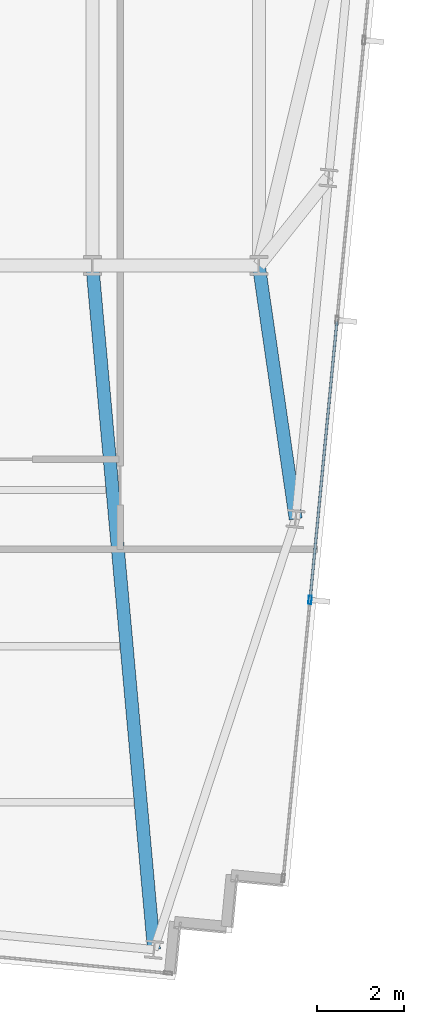
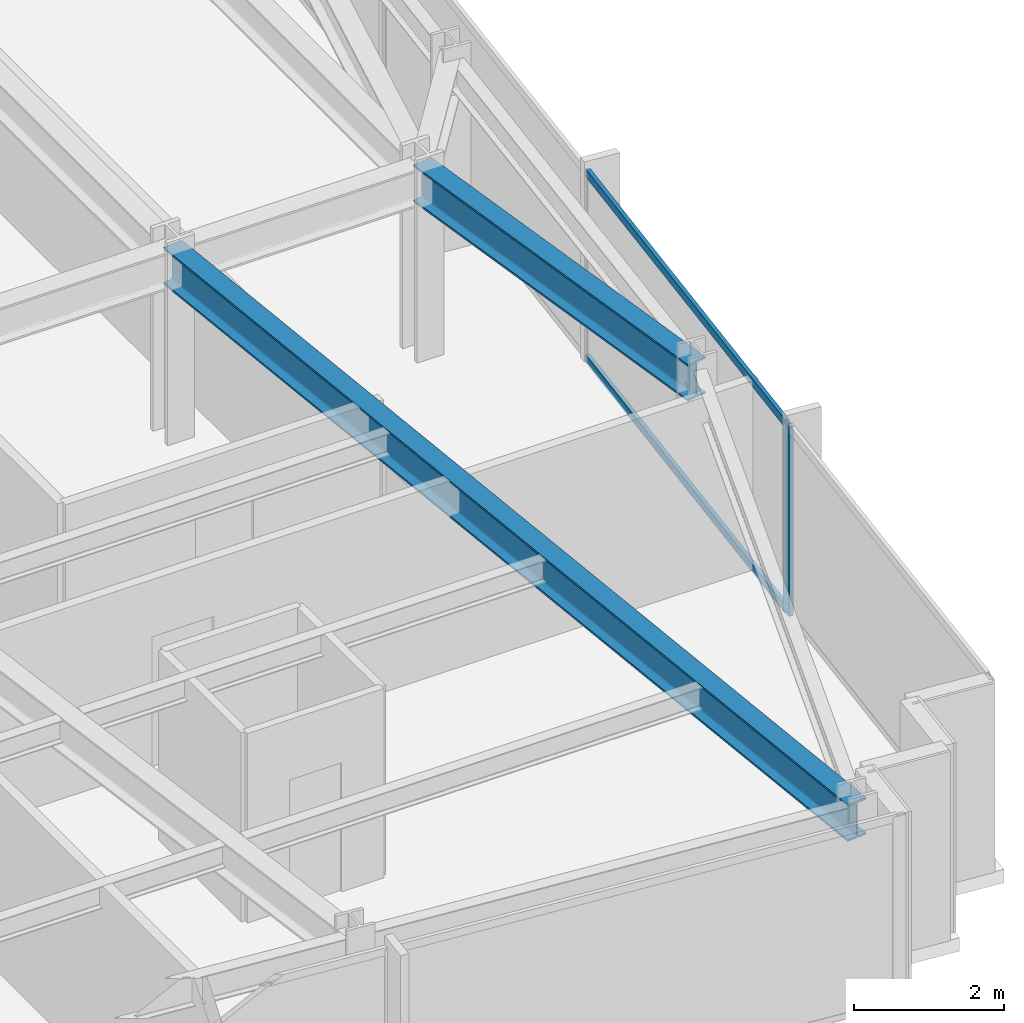
# One storey, part 15 of 36: 3 members, 2 beams, 1 element without a shape of its own.
"""IFC4 building model written with IfcOpenShell, lengths in metres."""

from ifc_helpers import new_model, si_unit, direction, frame, origin, origin_2d, place, context, subcontext, project, spatial, hollow_rectangle, i_section, extrude, material, material_profile, profile_set, type_object, element, aggregate, save


model = new_model("IFC4")

# Units and contexts
model_context = context("Model", 3, precision=1e-05, world=origin(), true_north=direction((0.0, 1.0)))
body_context = subcontext(model_context, "Body", "Model", "MODEL_VIEW")
ifc_project = project(units=[si_unit("LENGTHUNIT", "METRE"), si_unit("AREAUNIT", "SQUARE_METRE"), si_unit("VOLUMEUNIT", "CUBIC_METRE"), si_unit("PLANEANGLEUNIT", "RADIAN"), si_unit("MASSUNIT", "GRAM", prefix="KILO")], contexts=[model_context])

# Site, building, storey
site_placement = place(None, origin())
site = spatial("IfcSite", under=ifc_project, at=site_placement, CompositionType="ELEMENT")
building_placement = place(site_placement, origin())
building = spatial("IfcBuilding", under=site, at=building_placement, Name="Yelkora Congress Tower", CompositionType="ELEMENT")
storey_placement = place(building_placement, frame((0.0, 0.0, 152.300048828125)))
storey = spatial("IfcBuildingStorey", under=building, at=storey_placement, Name="L41", CompositionType="ELEMENT", Elevation=152.300048828125)

# Beams
ifc_material_1 = material(Name="Steel S355J2", Category="steel")
ifc_material_profile_1 = material_profile(ifc_material_1, i_section(OverallWidth=0.300048828125, OverallDepth=0.60009765625, WebThickness=0.015380859375, FlangeThickness=0.030029296875, FilletRadius=0.027099609375, at=origin_2d()), Name="HEB 600")
ifc_profile_set_1 = profile_set([ifc_material_profile_1], Name="Steel S355J2")
beam_type = type_object("IfcBeamType", Name="BM-GIRD-HEB600", PredefinedType="BEAM", material=ifc_profile_set_1)
beam_1_placement = place(storey_placement, frame((55.18212890625, 9.421142578125, 2.780029296875), z_axis=(-0.089764575953, 0.995963011815, 0.0), x_axis=(-0.995963011815, -0.089764575953, 0.0)))
element("IfcBeam", 1, at=beam_1_placement, inside=storey, type_object=beam_type, Name="L41 Primary Frame Girder S08", PredefinedType="BEAM", context=body_context, shape_type="SweptSolid", body=[
    extrude(i_section(OverallWidth=0.300048828125, OverallDepth=0.60009765625, WebThickness=0.015380859375, FlangeThickness=0.030029296875, FilletRadius=0.027099609375, at=origin_2d()), origin(), (0.0, 0.0, 1.0), 15.8427734375),
])
beam_2_placement = place(storey_placement, frame((58.44921875, 19.353759765625, 2.780029296875), z_axis=(-0.143735281382, 0.989616172506, 0.0), x_axis=(-0.989616172506, -0.143735281382, 0.0)))
element("IfcBeam", 2, at=beam_2_placement, inside=storey, type_object=beam_type, Name="L41 Primary Frame Girder E01", PredefinedType="BEAM", context=body_context, shape_type="SweptSolid", body=[
    extrude(i_section(OverallWidth=0.300048828125, OverallDepth=0.60009765625, WebThickness=0.015380859375, FlangeThickness=0.030029296875, FilletRadius=0.027099609375, at=origin_2d()), origin(), (0.0, 0.0, 1.0), 5.907470703125),
])

# Curtain wall, members
ifc_material_2 = material(Name="Anodised aluminium and insulated glass", Category="aluminium")
curtain_wall_type = type_object("IfcCurtainWallType", Name="CW-SYS-B3", PredefinedType="NOTDEFINED", material=ifc_material_2)
curtain_wall_placement = place(storey_placement, origin())
curtain_wall = element("IfcCurtainWall", 3, at=curtain_wall_placement, inside=storey, type_object=curtain_wall_type, Name="L41 Unitised Curtain Wall 15", PredefinedType="NOTDEFINED")
ifc_material_3 = material(Name="Anodised aluminium 6063-T6", Category="aluminium")
ifc_material_profile_2 = material_profile(ifc_material_3, hollow_rectangle(XDim=0.070068359375, YDim=0.18994140625, WallThickness=0.00390625, at=origin_2d()), Name="ALU 70x190x4")
ifc_profile_set_2 = profile_set([ifc_material_profile_2], Name="Anodised aluminium 6063-T6")
member_type_1 = type_object("IfcMemberType", Name="MEM-ML-B3", PredefinedType="MULLION", material=ifc_profile_set_2)
member_1_placement = place(storey_placement, frame((58.78173828125, 17.4873046875, 0.0), z_axis=(0.0, 0.0, 1.0), x_axis=(0.995396565076, -0.095841944023, 0.0)))
member_1 = element("IfcMember", 4, at=member_1_placement, type_object=member_type_1, Name="CW-B3 mullion 5", PredefinedType="MULLION", context=body_context, shape_type="SweptSolid", body=[
    extrude(hollow_rectangle(XDim=0.070068359375, YDim=0.18994140625, WallThickness=0.00390625, at=origin_2d()), origin(), (0.0, 0.0, 1.0), 3.079833984375),
])
ifc_material_profile_3 = material_profile(ifc_material_3, hollow_rectangle(XDim=0.06005859375, YDim=0.1298828125, WallThickness=0.00390625, at=origin_2d()), Name="ALU 60x130x4")
ifc_profile_set_3 = profile_set([ifc_material_profile_3], Name="Anodised aluminium 6063-T6")
member_type_2 = type_object("IfcMemberType", Name="MEM-TR-B3", PredefinedType="USERDEFINED", material=ifc_profile_set_3)
member_2_placement = place(storey_placement, frame((59.39990234375, 23.90673828125, 0.030029296875), z_axis=(-0.095843682057, -0.995396397728, 0.0), x_axis=(0.995396397728, -0.095843682057, 0.0)))
member_2 = element("IfcMember", 5, at=member_2_placement, type_object=member_type_2, Name="CW-B3 transom 4.1", ObjectType="TRANSOM", PredefinedType="USERDEFINED", context=body_context, shape_type="SweptSolid", body=[
    extrude(hollow_rectangle(XDim=0.06005859375, YDim=0.1298828125, WallThickness=0.00390625, at=origin_2d()), origin(), (0.0, 0.0, 1.0), 6.4140625),
])
member_3_placement = place(storey_placement, frame((59.39990234375, 23.90673828125, 3.050048828125), z_axis=(-0.095843682057, -0.995396397728, 0.0), x_axis=(0.995396397728, -0.095843682057, 0.0)))
member_3 = element("IfcMember", 6, at=member_3_placement, type_object=member_type_2, Name="CW-B3 transom 4.2", ObjectType="TRANSOM", PredefinedType="USERDEFINED", context=body_context, shape_type="SweptSolid", body=[
    extrude(hollow_rectangle(XDim=0.06005859375, YDim=0.1298828125, WallThickness=0.00390625, at=origin_2d()), origin(), (0.0, 0.0, 1.0), 6.4140625),
])
aggregate(curtain_wall, [member_1, member_2, member_3])

save(model, "model.ifc")
